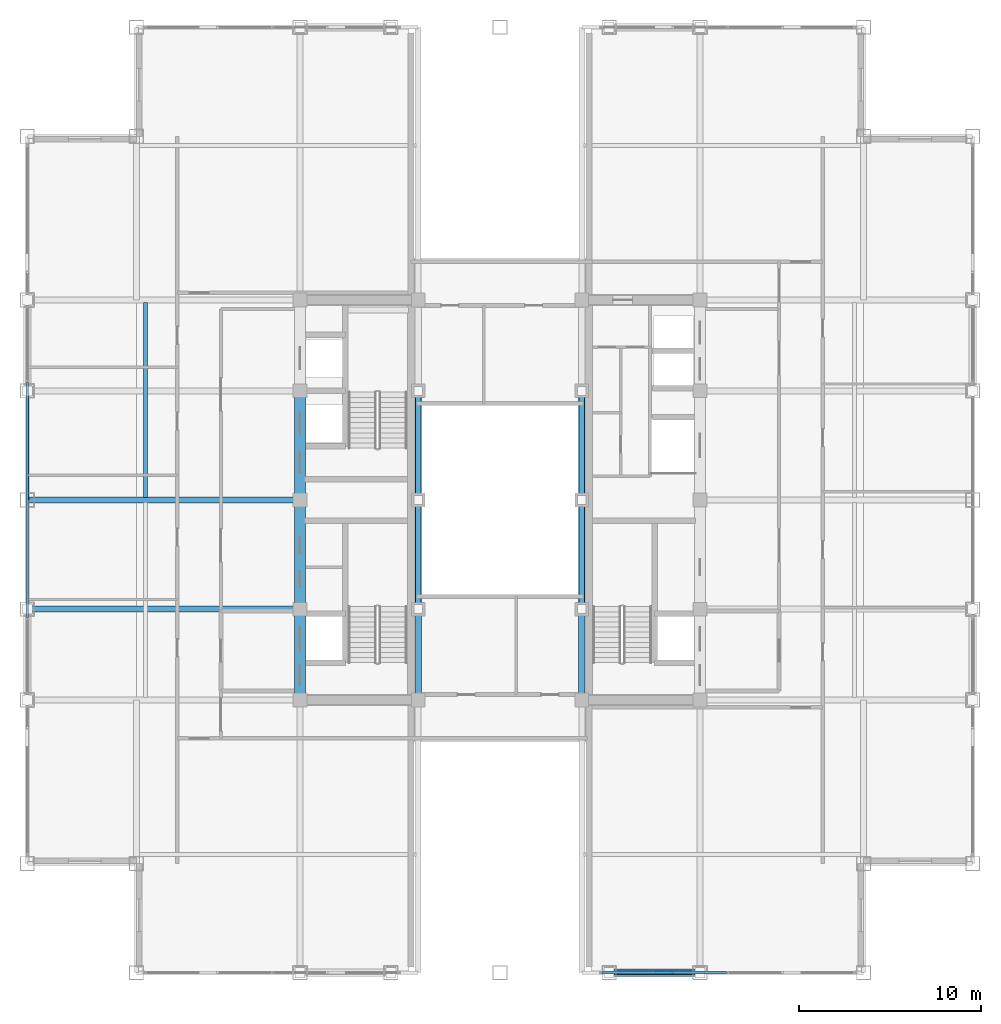
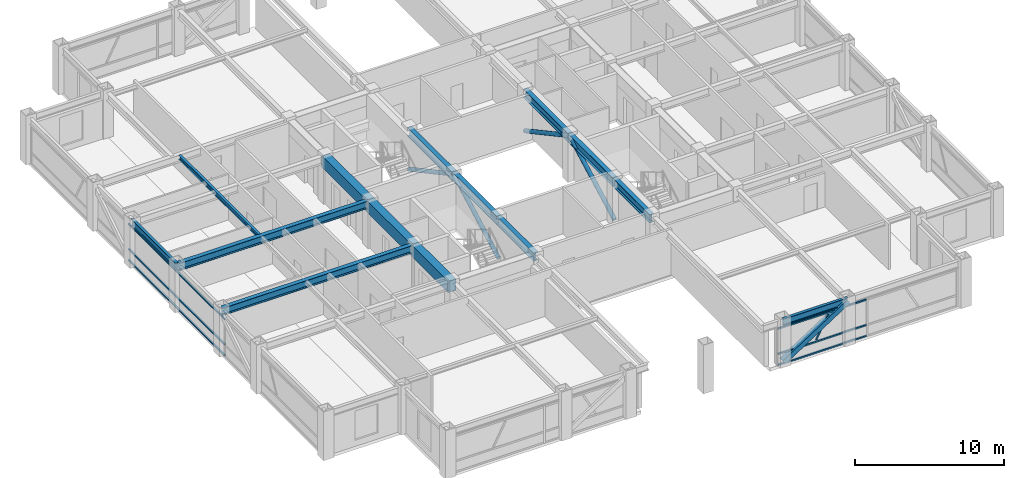
# One storey, part 8 of 29: 14 beams, 12 members, 2 elements without a shape of their own.
"""IFC4 building model written with IfcOpenShell, lengths in metres."""

from ifc_helpers import new_model, si_unit, direction, frame, origin, origin_2d, place, context, subcontext, project, spatial, rectangle, hollow_rectangle, hollow_circle, i_section, extrude, source, transform, mapped, material, material_profile, profile_set, type_object, element, aggregate, save


model = new_model("IFC4")

# Units and contexts
model_context = context("Model", 3, precision=1e-05, world=origin(), true_north=direction((0.0, 1.0)))
body_context = subcontext(model_context, "Body", "Model", "MODEL_VIEW")
ifc_project = project(units=[si_unit("LENGTHUNIT", "METRE"), si_unit("AREAUNIT", "SQUARE_METRE"), si_unit("VOLUMEUNIT", "CUBIC_METRE"), si_unit("PLANEANGLEUNIT", "RADIAN"), si_unit("MASSUNIT", "GRAM", prefix="KILO")], contexts=[model_context])

# Site, building, storey
site_placement = place(None, origin())
site = spatial("IfcSite", under=ifc_project, at=site_placement, CompositionType="ELEMENT")
building_placement = place(site_placement, origin())
building = spatial("IfcBuilding", under=site, at=building_placement, Name="Khorayat Bourse Tower", CompositionType="ELEMENT")
storey_placement = place(building_placement, frame((0.0, 0.0, 350.300048828125)))
storey = spatial("IfcBuildingStorey", under=building, at=storey_placement, Name="L83", CompositionType="ELEMENT", Elevation=350.300048828125)

# Beams
ifc_material_1 = material(Name="Steel ASTM A992 Grade 50", Category="steel")
ifc_material_profile_1 = material_profile(ifc_material_1, i_section(OverallWidth=0.35498046875, OverallDepth=0.695068359375, WebThickness=0.015380859375, FlangeThickness=0.02490234375, FilletRadius=0.01806640625, at=origin_2d()), Name="W690X217")
ifc_profile_set_1 = profile_set([ifc_material_profile_1], Name="Steel ASTM A992 Grade 50")
beam_type_1 = type_object("IfcBeamType", Name="BM-GIRD-690", PredefinedType="BEAM", material=ifc_profile_set_1)
shared_shape_1 = source(origin(), body_context, "Body", "SweptSolid", [
    extrude(i_section(OverallWidth=0.35498046875, OverallDepth=0.695068359375, WebThickness=0.015380859375, FlangeThickness=0.02490234375, FilletRadius=0.01806640625, at=origin_2d()), origin(), (0.0, 0.0, 1.0), 5.0),
])
for number, where, z_axis, x_axis, name in (
    (1, (-4.5, -11.0, 3.392333984375), (0.0, 1.0, 0.0), (-1.0, 0.0, 0.0), "L83 BM-GIRD-690 BM-L83-CRX-05"),
    (2, (4.5, -11.0, 3.392333984375), (0.0, 1.0, 0.0), (-1.0, 0.0, 0.0), "L83 BM-GIRD-690 BM-L83-CRX-09"),
):
    element("IfcBeam", number, at=place(storey_placement, frame(where, z_axis=z_axis, x_axis=x_axis)), inside=storey, type_object=beam_type_1, Name=name, PredefinedType="BEAM", context=body_context, shape_type="MappedRepresentation", body=[
        mapped(shared_shape_1, transform((0.0, 0.0, 0.0), scale=1.0)),
    ])
shared_shape_2 = source(origin(), body_context, "Body", "SweptSolid", [
    extrude(i_section(OverallWidth=0.35498046875, OverallDepth=0.695068359375, WebThickness=0.015380859375, FlangeThickness=0.02490234375, FilletRadius=0.01806640625, at=origin_2d()), origin(), (0.0, 0.0, 1.0), 6.0),
])
for number, where, z_axis, x_axis, name in (
    (3, (-4.5, -6.0, 3.392333984375), (0.0, 1.0, 0.0), (-1.0, 0.0, 0.0), "L83 BM-GIRD-690 BM-L83-CRX-06"),
    (4, (-4.5, 0.0, 3.392333984375), (0.0, 1.0, 0.0), (-1.0, 0.0, 0.0), "L83 BM-GIRD-690 BM-L83-CRX-07"),
    (5, (4.5, -6.0, 3.392333984375), (0.0, 1.0, 0.0), (-1.0, 0.0, 0.0), "L83 BM-GIRD-690 BM-L83-CRX-10"),
    (6, (4.5, 0.0, 3.392333984375), (0.0, 1.0, 0.0), (-1.0, 0.0, 0.0), "L83 BM-GIRD-690 BM-L83-CRX-11"),
):
    element("IfcBeam", number, at=place(storey_placement, frame(where, z_axis=z_axis, x_axis=x_axis)), inside=storey, type_object=beam_type_1, Name=name, PredefinedType="BEAM", context=body_context, shape_type="MappedRepresentation", body=[
        mapped(shared_shape_2, transform((0.0, 0.0, 0.0), scale=1.0)),
    ])
ifc_material_2 = material(Name="Concrete C60/75", Category="concrete")
ifc_material_profile_2 = material_profile(ifc_material_2, rectangle(XDim=0.60009765625, YDim=0.949951171875, at=origin_2d()), Name="RC 600x950")
ifc_profile_set_2 = profile_set([ifc_material_profile_2], Name="Concrete C60/75")
beam_type_2 = type_object("IfcBeamType", Name="BM-COUP-950", PredefinedType="BEAM", material=ifc_profile_set_2)
shared_shape_3 = source(origin(), body_context, "Body", "SweptSolid", [
    extrude(rectangle(XDim=0.60009765625, YDim=0.949951171875, at=origin_2d()), origin(), (0.0, 0.0, 1.0), 5.0),
])
beam_1_placement = place(storey_placement, frame((-11.0, -11.0, 3.264892578125), z_axis=(0.0, 1.0, 0.0), x_axis=(-1.0, 0.0, 0.0)))
element("IfcBeam", 7, at=beam_1_placement, inside=storey, type_object=beam_type_2, Name="L83 BM-COUP-950 BM-L83-CRX-01", PredefinedType="BEAM", context=body_context, shape_type="MappedRepresentation", body=[
    mapped(shared_shape_3, transform((0.0, 0.0, 0.0), scale=1.0)),
])
shared_shape_4 = source(origin(), body_context, "Body", "SweptSolid", [
    extrude(rectangle(XDim=0.60009765625, YDim=0.949951171875, at=origin_2d()), origin(), (0.0, 0.0, 1.0), 6.0),
])
for number, where, z_axis, x_axis, name in (
    (8, (-11.0, -6.0, 3.264892578125), (0.0, 1.0, 0.0), (-1.0, 0.0, 0.0), "L83 BM-COUP-950 BM-L83-CRX-02"),
    (9, (-11.0, 0.0, 3.264892578125), (0.0, 1.0, 0.0), (-1.0, 0.0, 0.0), "L83 BM-COUP-950 BM-L83-CRX-03"),
):
    element("IfcBeam", number, at=place(storey_placement, frame(where, z_axis=z_axis, x_axis=x_axis)), inside=storey, type_object=beam_type_2, Name=name, PredefinedType="BEAM", context=body_context, shape_type="MappedRepresentation", body=[
        mapped(shared_shape_4, transform((0.0, 0.0, 0.0), scale=1.0)),
    ])
ifc_material_profile_3 = material_profile(ifc_material_1, i_section(OverallWidth=0.202880859375, OverallDepth=0.346923828125, WebThickness=0.0078125, FlangeThickness=0.013427734375, FilletRadius=0.010009765625, at=origin_2d()), Name="W360X64")
ifc_profile_set_3 = profile_set([ifc_material_profile_3], Name="Steel ASTM A992 Grade 50")
beam_type_3 = type_object("IfcBeamType", Name="BM-JOIST-360", PredefinedType="JOIST", material=ifc_profile_set_3)
shared_shape_5 = source(origin(), body_context, "Body", "SweptSolid", [
    extrude(i_section(OverallWidth=0.202880859375, OverallDepth=0.346923828125, WebThickness=0.0078125, FlangeThickness=0.013427734375, FilletRadius=0.010009765625, at=origin_2d()), origin(), (0.0, 0.0, 1.0), 10.740234375),
])
beam_2_placement = place(storey_placement, frame((-19.5, 0.1298828125, 3.56640625), z_axis=(0.0, 1.0, 0.0), x_axis=(-1.0, 0.0, 0.0)))
element("IfcBeam", 10, at=beam_2_placement, inside=storey, type_object=beam_type_3, Name="L83 BM-JOIST-360 BM-L83-JSTY-080", PredefinedType="JOIST", context=body_context, shape_type="MappedRepresentation", body=[
    mapped(shared_shape_5, transform((0.0, 0.0, 0.0), scale=1.0)),
])
ifc_material_profile_4 = material_profile(ifc_material_1, i_section(OverallWidth=0.214111328125, OverallDepth=0.549072265625, WebThickness=0.0146484375, FlangeThickness=0.023681640625, FilletRadius=0.013916015625, at=origin_2d()), Name="W530X138")
ifc_profile_set_4 = profile_set([ifc_material_profile_4], Name="Steel ASTM A992 Grade 50")
beam_type_4 = type_object("IfcBeamType", Name="BM-SPAN-530", PredefinedType="SPANDREL", material=ifc_profile_set_4)
shared_shape_6 = source(origin(), body_context, "Body", "SweptSolid", [
    extrude(i_section(OverallWidth=0.214111328125, OverallDepth=0.549072265625, WebThickness=0.0146484375, FlangeThickness=0.023681640625, FilletRadius=0.013916015625, at=origin_2d()), origin(), (0.0, 0.0, 1.0), 5.0),
])
beam_3_placement = place(storey_placement, frame((6.0, -26.0, 3.46533203125), z_axis=(1.0, 0.0, 0.0), x_axis=(0.0, 1.0, 0.0)))
element("IfcBeam", 11, at=beam_3_placement, inside=storey, type_object=beam_type_4, Name="L83 BM-SPAN-530 BM-L83-SPN-025", PredefinedType="SPANDREL", context=body_context, shape_type="MappedRepresentation", body=[
    mapped(shared_shape_6, transform((0.0, 0.0, 0.0), scale=1.0)),
])
shared_shape_7 = source(origin(), body_context, "Body", "SweptSolid", [
    extrude(i_section(OverallWidth=0.214111328125, OverallDepth=0.549072265625, WebThickness=0.0146484375, FlangeThickness=0.023681640625, FilletRadius=0.013916015625, at=origin_2d()), origin(), (0.0, 0.0, 1.0), 6.0),
])
beam_4_placement = place(storey_placement, frame((-26.0, 0.0, 3.46533203125), z_axis=(0.0, 1.0, 0.0), x_axis=(-1.0, 0.0, 0.0)))
element("IfcBeam", 12, at=beam_4_placement, inside=storey, type_object=beam_type_4, Name="L83 BM-SPAN-530 BM-L83-SPN-047", PredefinedType="SPANDREL", context=body_context, shape_type="MappedRepresentation", body=[
    mapped(shared_shape_7, transform((0.0, 0.0, 0.0), scale=1.0)),
])
ifc_material_profile_5 = material_profile(ifc_material_1, i_section(OverallWidth=0.324951171875, OverallDepth=0.615966796875, WebThickness=0.013916015625, FlangeThickness=0.021484375, FilletRadius=0.01611328125, at=origin_2d()), Name="W610X174")
ifc_profile_set_5 = profile_set([ifc_material_profile_5], Name="Steel ASTM A992 Grade 50")
beam_type_5 = type_object("IfcBeamType", Name="BM-GIRD-610", PredefinedType="BEAM", material=ifc_profile_set_5)
shared_shape_8 = source(origin(), body_context, "Body", "SweptSolid", [
    extrude(i_section(OverallWidth=0.324951171875, OverallDepth=0.615966796875, WebThickness=0.013916015625, FlangeThickness=0.021484375, FilletRadius=0.01611328125, at=origin_2d()), origin(), (0.0, 0.0, 1.0), 15.0),
])
for number, where, z_axis, x_axis, name in (
    (13, (-26.0, -6.0, 3.431884765625), (1.0, 0.0, 0.0), (0.0, 1.0, 0.0), "L83 BM-GIRD-610 BM-L83-RADX-064"),
    (14, (-26.0, 0.0, 3.431884765625), (1.0, 0.0, 0.0), (0.0, 1.0, 0.0), "L83 BM-GIRD-610 BM-L83-RADX-066"),
):
    element("IfcBeam", number, at=place(storey_placement, frame(where, z_axis=z_axis, x_axis=x_axis)), inside=storey, type_object=beam_type_5, Name=name, PredefinedType="BEAM", context=body_context, shape_type="MappedRepresentation", body=[
        mapped(shared_shape_8, transform((0.0, 0.0, 0.0), scale=1.0)),
    ])

# Members
ifc_material_3 = material(Name="Steel EN 10025-4 S460M", Category="steel")
ifc_material_profile_6 = material_profile(ifc_material_3, hollow_rectangle(XDim=0.39990234375, YDim=0.39990234375, WallThickness=0.02197265625, at=origin_2d()), Name="HSS 400x400x22")
ifc_profile_set_6 = profile_set([ifc_material_profile_6], Name="Steel EN 10025-4 S460M")
member_type_1 = type_object("IfcMemberType", Name="MBR-TUBE-400", PredefinedType="BRACE", material=ifc_profile_set_6)
shared_shape_9 = source(origin(), body_context, "Body", "SweptSolid", [
    extrude(hollow_rectangle(XDim=0.39990234375, YDim=0.39990234375, WallThickness=0.02197265625, at=origin_2d()), origin(), (0.0, 0.0, 1.0), 5.9580078125),
])
member_1_placement = place(storey_placement, frame((6.0, -26.0, 0.25), z_axis=(0.839210474455, 0.0, 0.543806748364), x_axis=(0.0, 1.0, 0.0)))
element("IfcMember", 15, at=member_1_placement, inside=storey, type_object=member_type_1, Name="L83 Perimeter Tube Brace 02", PredefinedType="BRACE", context=body_context, shape_type="MappedRepresentation", body=[
    mapped(shared_shape_9, transform((0.0, 0.0, 0.0), scale=1.0)),
])
ifc_material_4 = material(Name="Steel EN 10025-2 S355J2", Category="steel")
ifc_material_profile_7 = material_profile(ifc_material_4, hollow_circle(Radius=0.161865234375, WallThickness=0.01611328125, at=origin_2d()), Name="CHS 323.9x16")
ifc_profile_set_7 = profile_set([ifc_material_profile_7], Name="Steel EN 10025-2 S355J2")
member_type_2 = type_object("IfcMemberType", Name="MBR-STRUT-324", PredefinedType="STRUT", material=ifc_profile_set_7)
shared_shape_10 = source(origin(), body_context, "Body", "SweptSolid", [
    extrude(hollow_circle(Radius=0.161865234375, WallThickness=0.01611328125, at=origin_2d()), origin(), (0.0, 0.0, 1.0), 6.81884765625),
])
for number, where, z_axis, x_axis, name in (
    (16, (-4.5, -6.0, 0.25), (0.0, 0.879905996414, 0.475147805925), (-1.0, 0.0, 0.0), "L83 Wind Portal Bracing Strut 01"),
    (17, (-4.5, 6.0, 0.25), (0.0, -0.879905996414, 0.475147805925), (1.0, 0.0, 0.0), "L83 Wind Portal Bracing Strut 02"),
    (18, (4.5, -6.0, 0.25), (0.0, 0.879905996414, 0.475147805925), (-1.0, 0.0, 0.0), "L83 Wind Portal Bracing Strut 03"),
    (19, (4.5, 6.0, 0.25), (0.0, -0.879905996414, 0.475147805925), (1.0, 0.0, 0.0), "L83 Wind Portal Bracing Strut 04"),
):
    element("IfcMember", number, at=place(storey_placement, frame(where, z_axis=z_axis, x_axis=x_axis)), inside=storey, type_object=member_type_2, Name=name, PredefinedType="STRUT", context=body_context, shape_type="MappedRepresentation", body=[
        mapped(shared_shape_10, transform((0.0, 0.0, 0.0), scale=1.0)),
    ])

# Curtain wall, members
ifc_material_5 = material(Name="Aluminium EN AW-6063 T6", Category="aluminium")
curtain_wall_type = type_object("IfcCurtainWallType", Name="CW-SYS-06", PredefinedType="NOTDEFINED", material=ifc_material_5)
curtain_wall_1_placement = place(storey_placement, origin())
curtain_wall_1 = element("IfcCurtainWall", 20, at=curtain_wall_1_placement, inside=storey, type_object=curtain_wall_type, Name="L83 Curtain Wall CW-L83-S2", PredefinedType="NOTDEFINED")
ifc_material_profile_8 = material_profile(ifc_material_5, hollow_rectangle(XDim=0.1201171875, YDim=0.1201171875, WallThickness=0.0048828125, at=origin_2d()), Name="ALU 120x120x5")
ifc_profile_set_8 = profile_set([ifc_material_profile_8], Name="Aluminium EN AW-6063 T6")
member_type_3 = type_object("IfcMemberType", Name="CWM-DIAG-120", PredefinedType="MULLION", material=ifc_profile_set_8)
shared_shape_11 = source(origin(), body_context, "Body", "SweptSolid", [
    extrude(hollow_rectangle(XDim=0.1201171875, YDim=0.1201171875, WallThickness=0.0048828125, at=origin_2d()), origin(), (0.0, 0.0, 1.0), 2.0341796875),
])
member_2_placement = place(storey_placement, frame((8.56884765625, -26.0, 1.08984375), z_axis=(0.465696964104, 0.0, 0.884944256789), x_axis=(0.0, 1.0, 0.0)))
member_2 = element("IfcMember", 21, at=member_2_placement, type_object=member_type_3, Name="CW-L83-S2 Faceted Diagonal Mullion 1", PredefinedType="MULLION", context=body_context, shape_type="MappedRepresentation", body=[
    mapped(shared_shape_11, transform((0.0, 0.0, 0.0), scale=1.0)),
])
ifc_material_profile_9 = material_profile(ifc_material_5, hollow_rectangle(XDim=0.1201171875, YDim=0.1201171875, WallThickness=0.0048828125, at=origin_2d()), Name="ALU 120x120x5")
ifc_profile_set_9 = profile_set([ifc_material_profile_9], Name="Aluminium EN AW-6063 T6")
member_type_4 = type_object("IfcMemberType", Name="CWT-HORZ-120", PredefinedType="USERDEFINED", material=ifc_profile_set_9)
shared_shape_12 = source(origin(), body_context, "Body", "SweptSolid", [
    extrude(hollow_rectangle(XDim=0.1201171875, YDim=0.1201171875, WallThickness=0.0048828125, at=origin_2d()), origin(), (0.0, 0.0, 1.0), 6.844970703125),
])
member_3_placement = place(storey_placement, frame((5.6201171875, -26.0, 0.06005859375), z_axis=(1.0, 0.0, 0.0), x_axis=(0.0, 1.0, 0.0)))
member_3 = element("IfcMember", 22, at=member_3_placement, type_object=member_type_4, Name="CW-L83-S2 Horizontal Transom 1-1", ObjectType="TRANSOM", PredefinedType="USERDEFINED", context=body_context, shape_type="MappedRepresentation", body=[
    mapped(shared_shape_12, transform((0.0, 0.0, 0.0), scale=1.0)),
])
member_4_placement = place(storey_placement, frame((5.6201171875, -26.0, 0.949951171875), z_axis=(1.0, 0.0, 0.0), x_axis=(0.0, 1.0, 0.0)))
member_4 = element("IfcMember", 23, at=member_4_placement, type_object=member_type_4, Name="CW-L83-S2 Horizontal Transom 1-2", ObjectType="TRANSOM", PredefinedType="USERDEFINED", context=body_context, shape_type="MappedRepresentation", body=[
    mapped(shared_shape_12, transform((0.0, 0.0, 0.0), scale=1.0)),
])
member_5_placement = place(storey_placement, frame((5.6201171875, -26.0, 3.030029296875), z_axis=(1.0, 0.0, 0.0), x_axis=(0.0, 1.0, 0.0)))
member_5 = element("IfcMember", 24, at=member_5_placement, type_object=member_type_4, Name="CW-L83-S2 Horizontal Transom 1-3", ObjectType="TRANSOM", PredefinedType="USERDEFINED", context=body_context, shape_type="MappedRepresentation", body=[
    mapped(shared_shape_12, transform((0.0, 0.0, 0.0), scale=1.0)),
])
aggregate(curtain_wall_1, [member_3, member_4, member_5, member_2])

curtain_wall_2_placement = place(storey_placement, origin())
curtain_wall_2 = element("IfcCurtainWall", 25, at=curtain_wall_2_placement, inside=storey, type_object=curtain_wall_type, Name="L83 Curtain Wall CW-L83-W1", PredefinedType="NOTDEFINED")
shared_shape_13 = source(origin(), body_context, "Body", "SweptSolid", [
    extrude(hollow_rectangle(XDim=0.1201171875, YDim=0.1201171875, WallThickness=0.0048828125, at=origin_2d()), origin(), (0.0, 0.0, 1.0), 12.91357421875),
])
member_6_placement = place(storey_placement, frame((-26.0, 6.456787109375, 0.06005859375), z_axis=(0.0, -1.0, 0.0), x_axis=(1.0, 0.0, 0.0)))
member_6 = element("IfcMember", 26, at=member_6_placement, type_object=member_type_4, Name="CW-L83-W1 Horizontal Transom 2-1", ObjectType="TRANSOM", PredefinedType="USERDEFINED", context=body_context, shape_type="MappedRepresentation", body=[
    mapped(shared_shape_13, transform((0.0, 0.0, 0.0), scale=1.0)),
])
member_7_placement = place(storey_placement, frame((-26.0, 6.456787109375, 0.949951171875), z_axis=(0.0, -1.0, 0.0), x_axis=(1.0, 0.0, 0.0)))
member_7 = element("IfcMember", 27, at=member_7_placement, type_object=member_type_4, Name="CW-L83-W1 Horizontal Transom 2-2", ObjectType="TRANSOM", PredefinedType="USERDEFINED", context=body_context, shape_type="MappedRepresentation", body=[
    mapped(shared_shape_13, transform((0.0, 0.0, 0.0), scale=1.0)),
])
member_8_placement = place(storey_placement, frame((-26.0, 6.456787109375, 3.030029296875), z_axis=(0.0, -1.0, 0.0), x_axis=(1.0, 0.0, 0.0)))
member_8 = element("IfcMember", 28, at=member_8_placement, type_object=member_type_4, Name="CW-L83-W1 Horizontal Transom 2-3", ObjectType="TRANSOM", PredefinedType="USERDEFINED", context=body_context, shape_type="MappedRepresentation", body=[
    mapped(shared_shape_13, transform((0.0, 0.0, 0.0), scale=1.0)),
])
aggregate(curtain_wall_2, [member_6, member_7, member_8])

save(model, "model.ifc")
